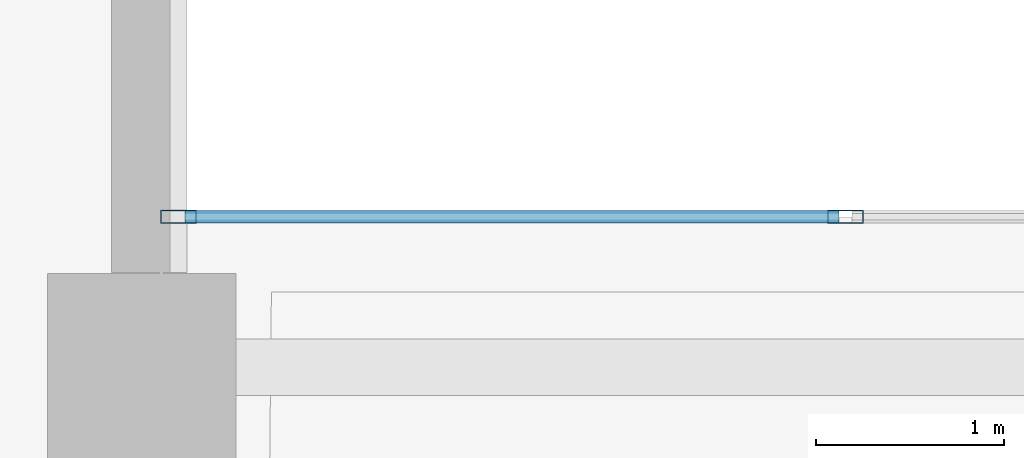
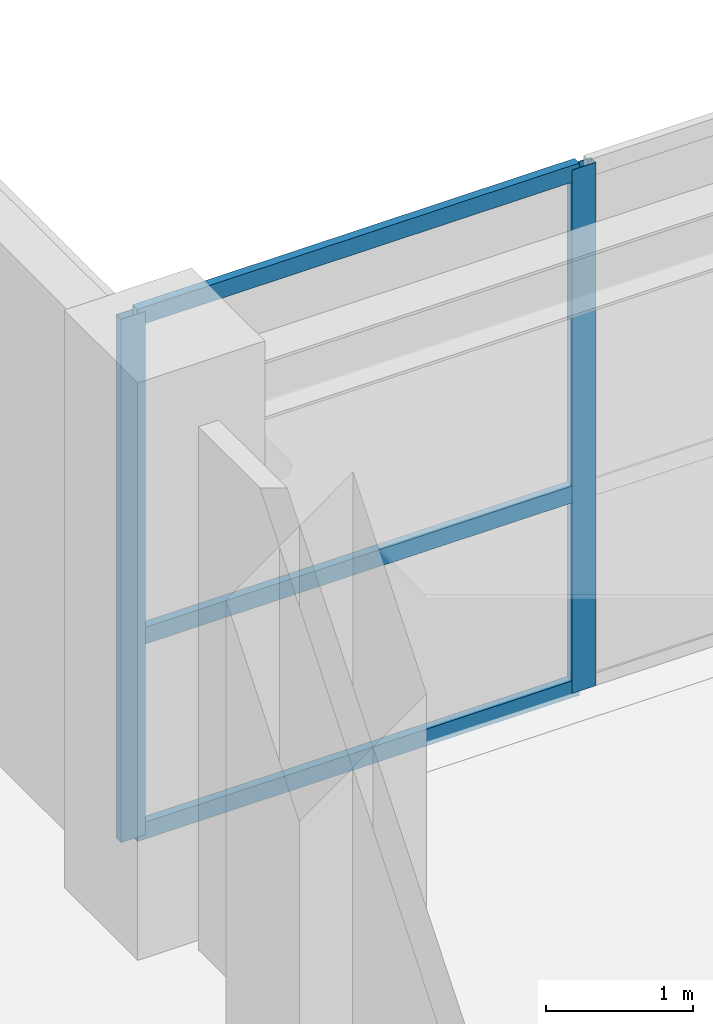
# One storey, part 16 of 44: 5 members, 1 element without a shape of its own.
"""IFC4 building model written with IfcOpenShell, lengths in metres."""

from ifc_helpers import new_model, si_unit, derived_unit, direction, frame, origin, origin_2d, place, context, subcontext, project, spatial, hollow_rectangle, extrude, source, transform, mapped, material, layer, layer_set, material_profile, profile_set, type_object, element, aggregate, save


model = new_model("IFC4")

# Units and contexts
model_context = context("Model", 3, precision=1e-05, world=origin(), true_north=direction((0.0, 1.0)))
body_context = subcontext(model_context, "Body", "Model", "MODEL_VIEW")
ifc_project = project(units=[si_unit("LENGTHUNIT", "METRE"), si_unit("AREAUNIT", "SQUARE_METRE"), si_unit("VOLUMEUNIT", "CUBIC_METRE"), si_unit("PLANEANGLEUNIT", "RADIAN"), si_unit("MASSUNIT", "GRAM", prefix="KILO"), derived_unit("THERMALTRANSMITTANCEUNIT", [(si_unit("POWERUNIT", "WATT"), 1), (si_unit("LENGTHUNIT", "METRE"), -2), (si_unit("THERMODYNAMICTEMPERATUREUNIT", "KELVIN"), -1)])], contexts=[model_context])

# Site, building, storey
site_placement = place(None, origin())
site = spatial("IfcSite", under=ifc_project, at=site_placement, CompositionType="ELEMENT")
building_placement = place(site_placement, origin())
building = spatial("IfcBuilding", under=site, at=building_placement, Name="Korsvarv Bourse and Concert Hall", CompositionType="ELEMENT")
storey_placement = place(building_placement, frame((0.0, 0.0, 9.60009765625)))
storey = spatial("IfcBuildingStorey", under=building, at=storey_placement, Name="L02", CompositionType="ELEMENT", Elevation=9.60009765625)

# Curtain wall, members
ifc_material_1 = material(Name="Anodised aluminium and triple low-E glazing", Category="glass")
ifc_layer = layer(ifc_material_1, 0.239990234375)
ifc_layer_set = layer_set([ifc_layer], Name="Anodised aluminium and triple low-E glazing")
curtain_wall_type = type_object("IfcCurtainWallType", Name="CW-SYS-5", PredefinedType="NOTDEFINED", material=ifc_layer_set)
curtain_wall_placement = place(storey_placement, origin())
curtain_wall = element("IfcCurtainWall", 1, at=curtain_wall_placement, inside=storey, type_object=curtain_wall_type, Name="L02 CW5 curtain wall CW-L02-LKN", PredefinedType="NOTDEFINED")
ifc_material_2 = material(Name="Extruded aluminium EN AW-6063 T66", Category="aluminium")
ifc_material_profile_1 = material_profile(ifc_material_2, hollow_rectangle(XDim=0.06494140625, YDim=0.139892578125, WallThickness=0.00390625, at=origin_2d()), Name="ALU-T 65x140")
ifc_profile_set_1 = profile_set([ifc_material_profile_1], Name="Extruded aluminium EN AW-6063 T66")
member_type_1 = type_object("IfcMemberType", Name="CWT-140", PredefinedType="USERDEFINED", material=ifc_profile_set_1)
shared_shape_1 = source(origin(), body_context, "Body", "SweptSolid", [
    extrude(hollow_rectangle(XDim=0.06494140625, YDim=0.139892578125, WallThickness=0.00390625, at=origin_2d()), origin(), (0.0, 0.0, 1.0), 3.47509765625),
])
member_1_placement = place(storey_placement, frame((66.22998046875, 43.0, 0.032470703125), z_axis=(1.0, 0.0, 0.0), x_axis=(0.0, 1.0, 0.0)))
member_1 = element("IfcMember", 2, at=member_1_placement, type_object=member_type_1, Name="CW5 transom 1.1", ObjectType="TRANSOM", PredefinedType="USERDEFINED", context=body_context, shape_type="MappedRepresentation", body=[
    mapped(shared_shape_1, transform((0.0, 0.0, 0.0), scale=1.0)),
])
member_2_placement = place(storey_placement, frame((66.22998046875, 43.0, 1.65283203125), z_axis=(1.0, 0.0, 0.0), x_axis=(0.0, 1.0, 0.0)))
member_2 = element("IfcMember", 3, at=member_2_placement, type_object=member_type_1, Name="CW5 transom 1.2", ObjectType="TRANSOM", PredefinedType="USERDEFINED", context=body_context, shape_type="MappedRepresentation", body=[
    mapped(shared_shape_1, transform((0.0, 0.0, 0.0), scale=1.0)),
])
member_3_placement = place(storey_placement, frame((66.22998046875, 43.0, 4.3173828125), z_axis=(1.0, 0.0, 0.0), x_axis=(0.0, 1.0, 0.0)))
member_3 = element("IfcMember", 4, at=member_3_placement, type_object=member_type_1, Name="CW5 transom 1.3", ObjectType="TRANSOM", PredefinedType="USERDEFINED", context=body_context, shape_type="MappedRepresentation", body=[
    mapped(shared_shape_1, transform((0.0, 0.0, 0.0), scale=1.0)),
])
ifc_material_profile_2 = material_profile(ifc_material_2, hollow_rectangle(XDim=0.070068359375, YDim=0.18994140625, WallThickness=0.0048828125, at=origin_2d()), Name="ALU-M 70x190")
ifc_profile_set_2 = profile_set([ifc_material_profile_2], Name="Extruded aluminium EN AW-6063 T66")
member_type_2 = type_object("IfcMemberType", Name="CWM-190", PredefinedType="MULLION", material=ifc_profile_set_2)
shared_shape_2 = source(origin(), body_context, "Body", "SweptSolid", [
    extrude(hollow_rectangle(XDim=0.070068359375, YDim=0.18994140625, WallThickness=0.0048828125, at=origin_2d()), origin(), (0.0, 0.0, 1.0), 4.349853515625),
])
member_4_placement = place(storey_placement, frame((66.195068359375, 43.0, 0.0), z_axis=(0.0, 0.0, 1.0), x_axis=(0.0, 1.0, 0.0)))
member_4 = element("IfcMember", 5, at=member_4_placement, type_object=member_type_2, Name="CW5 mullion 1", PredefinedType="MULLION", context=body_context, shape_type="MappedRepresentation", body=[
    mapped(shared_shape_2, transform((0.0, 0.0, 0.0), scale=1.0)),
])
member_5_placement = place(storey_placement, frame((69.739990234375, 43.0, 0.0), z_axis=(0.0, 0.0, 1.0), x_axis=(0.0, 1.0, 0.0)))
member_5 = element("IfcMember", 6, at=member_5_placement, type_object=member_type_2, Name="CW5 mullion 2", PredefinedType="MULLION", context=body_context, shape_type="MappedRepresentation", body=[
    mapped(shared_shape_2, transform((0.0, 0.0, 0.0), scale=1.0)),
])
aggregate(curtain_wall, [member_4, member_5, member_1, member_2, member_3])

save(model, "model.ifc")
